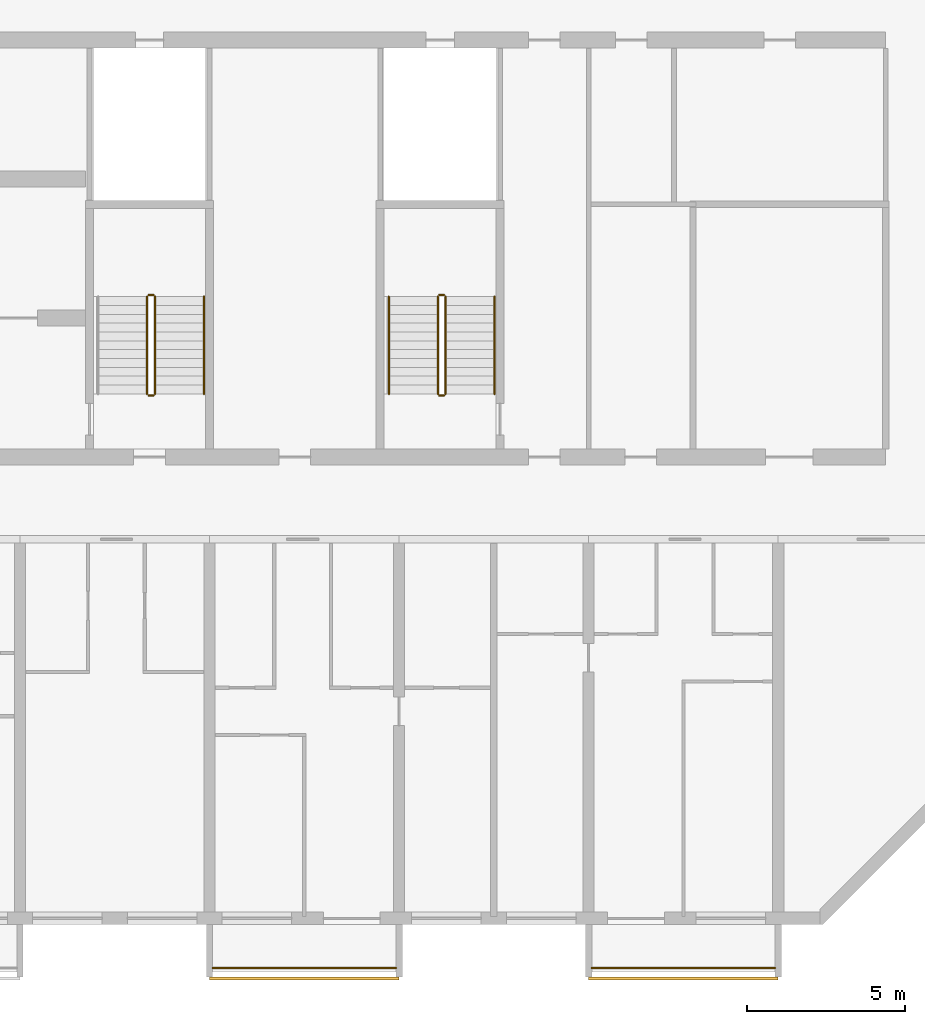
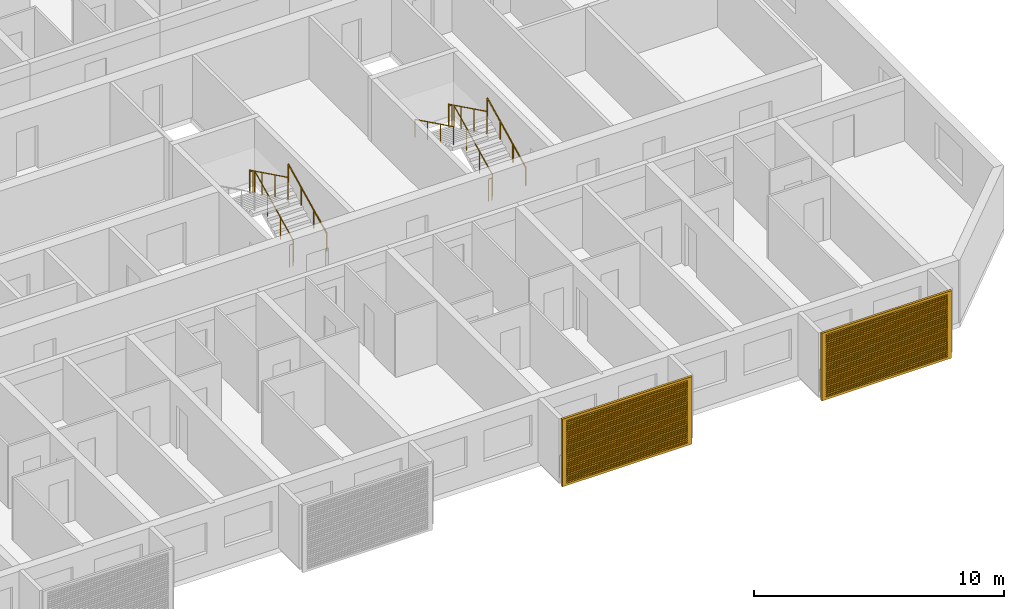
# One storey, part 26 of 28: 13 railings, 2 shading devices.
"""IFC4 building model written with IfcOpenShell, lengths in metres."""

import ifcopenshell
import ifcopenshell.guid

model = None  # the IFC model being written
_history = None  # IfcOwnerHistory: only IFC2X3 demands one
_inside = {}  # id of a spatial element -> (the spatial element, [elements in it])
_under = {}  # id of a project, library or spatial element -> (it, [spatial elements below it])
_declared = {}  # id of a project -> (the project, [libraries it declares])
_typed = {}  # id of a type object -> (the type object, [elements of that type])
_made_of = {}  # id of a material, layer set ... -> (it, [elements and type objects made of it])


def new_model(schema):
    """Start an empty IFC model of exactly this schema.

    Asked for "IFC4X3", IfcOpenShell would pick the latest addendum, in which some entities
    have other attributes; the version numbers below select the first issue.
    IFC2X3 requires an IfcOwnerHistory on every rooted entity: one is made here for all.
    """
    global model, _history
    if schema == "IFC4X3":
        model = ifcopenshell.file(schema_version=(4, 3, 0, 0))
    else:
        model = ifcopenshell.file(schema=schema)
    _inside.clear()
    _under.clear()
    _declared.clear()
    _typed.clear()
    _made_of.clear()
    _history = None
    if model.schema == "IFC2X3":
        org = make("IfcOrganization", Name="unknown")
        user = make(
            "IfcPersonAndOrganization",
            ThePerson=make("IfcPerson", FamilyName="unknown"),
            TheOrganization=org,
        )
        app = make(
            "IfcApplication",
            ApplicationDeveloper=org,
            Version="unknown",
            ApplicationFullName="unknown",
            ApplicationIdentifier="unknown",
        )
        _history = make(
            "IfcOwnerHistory",
            OwningUser=user,
            OwningApplication=app,
            ChangeAction="ADDED",
            CreationDate=0,
        )
    return model


def make(cls, **values):
    """One entity of the class cls with the attributes given. An attribute that is None is left unset."""
    return model.create_entity(
        cls, **{name: value for name, value in values.items() if value is not None}
    )


def rooted(cls, **values):
    """An entity with a GlobalId (a new one), such as an element, a storey or a relation."""
    return make(cls, GlobalId=ifcopenshell.guid.new(), OwnerHistory=_history, **values)


def si_unit(unit_type, name, prefix=None):
    """IfcSIUnit, for example si_unit("LENGTHUNIT", "METRE", prefix="MILLI")."""
    return make("IfcSIUnit", UnitType=unit_type, Prefix=prefix, Name=name)


def assignment(units):
    """IfcUnitAssignment: the units of a project."""
    return None if units is None else make("IfcUnitAssignment", Units=units)


def point(xyz):
    """IfcCartesianPoint."""
    return None if xyz is None else make("IfcCartesianPoint", Coordinates=xyz)


def direction(xyz):
    """IfcDirection."""
    return None if xyz is None else make("IfcDirection", DirectionRatios=xyz)


def frame(location, z_axis=None, x_axis=None):
    """IfcAxis2Placement3D, a coordinate frame: its origin and axes. An axis left out is left unset."""
    return make(
        "IfcAxis2Placement3D",
        Location=point(location),
        Axis=direction(z_axis),
        RefDirection=direction(x_axis),
    )


def frame_2d(location, x_axis=None):
    """IfcAxis2Placement2D, a coordinate frame in the plane: its origin and x axis."""
    return make(
        "IfcAxis2Placement2D", Location=point(location), RefDirection=direction(x_axis)
    )


def origin():
    """The frame at (0, 0, 0) with its axes left unset."""
    return frame((0.0, 0.0, 0.0))


def origin_2d():
    """The frame at (0, 0) in the plane with its x axis left unset."""
    return frame_2d((0.0, 0.0))


def place(relative_to, where):
    """IfcLocalPlacement: puts the frame where relative to a parent placement (None: the world)."""
    return make(
        "IfcLocalPlacement", PlacementRelTo=relative_to, RelativePlacement=where
    )


def context(
    kind, dimensions, precision=None, world=None, true_north=None, identifier=None
):
    """IfcGeometricRepresentationContext, for example the 3D "Model" context."""
    return make(
        "IfcGeometricRepresentationContext",
        ContextIdentifier=identifier,
        ContextType=kind,
        CoordinateSpaceDimension=dimensions,
        Precision=precision,
        WorldCoordinateSystem=world,
        TrueNorth=true_north,
    )


def subcontext(parent, identifier, kind, view, scale=None):
    """IfcGeometricRepresentationSubContext, for example "Body" below "Model"."""
    return make(
        "IfcGeometricRepresentationSubContext",
        ContextIdentifier=identifier,
        ContextType=kind,
        ParentContext=parent,
        TargetScale=scale,
        TargetView=view,
    )


def project(units=None, contexts=None):
    """IfcProject with its units and contexts."""
    return rooted(
        "IfcProject",
        Name="project",
        RepresentationContexts=contexts,
        UnitsInContext=assignment(units),
    )


def spatial(cls, under=None, at=None, **own):
    """A site, building, storey or space (cls), placed at a placement, below another one or the project."""
    s = rooted(cls, ObjectPlacement=at, **own)
    if under is not None:
        _under.setdefault(under.id(), (under, []))[1].append(s)
    return s


def polyline(points):
    """IfcPolyline through the points."""
    return make("IfcPolyline", Points=[point(p) for p in points])


def profile(cls, at=None, kind="AREA", **sizes):
    """A parametric profile (cls). Its sizes go by their IFC names, for example OverallWidth=200.0."""
    return make(cls, ProfileType=kind, Position=at, **sizes)


def circle(**sizes):
    """IfcCircleProfileDef."""
    return profile("IfcCircleProfileDef", **sizes)


def outline(outer, holes=None, kind="AREA"):
    """IfcArbitraryClosedProfileDef: a profile drawn as a closed curve; with holes, ...WithVoids."""
    if holes is None:
        return make("IfcArbitraryClosedProfileDef", ProfileType=kind, OuterCurve=outer)
    return make(
        "IfcArbitraryProfileDefWithVoids",
        ProfileType=kind,
        OuterCurve=outer,
        InnerCurves=holes,
    )


def extrude(swept, where, along, depth):
    """IfcExtrudedAreaSolid: the profile swept, set in the frame where, extruded along a direction by depth."""
    return make(
        "IfcExtrudedAreaSolid",
        SweptArea=swept,
        Position=where,
        ExtrudedDirection=direction(along),
        Depth=depth,
    )


def shape(context_of_items, identifier, shape_type, items):
    """IfcShapeRepresentation: the items that make up one representation, for example the "Body"."""
    return make(
        "IfcShapeRepresentation",
        ContextOfItems=context_of_items,
        RepresentationIdentifier=identifier,
        RepresentationType=shape_type,
        Items=items,
    )


def source(mapping_origin, context_of_items, identifier, shape_type, items):
    """IfcRepresentationMap: a shape defined once, which mapped items show again and again."""
    return make(
        "IfcRepresentationMap",
        MappingOrigin=mapping_origin,
        MappedRepresentation=shape(context_of_items, identifier, shape_type, items),
    )


def transform(
    local_origin,
    x_axis=None,
    y_axis=None,
    z_axis=None,
    scale=None,
    scale2=None,
    scale3=None,
    uniform=True,
):
    """IfcCartesianTransformationOperator3D, or its non-uniform kind. x_axis, y_axis, z_axis: its Axis1, 2, 3."""
    if uniform:
        return make(
            "IfcCartesianTransformationOperator3D",
            Axis1=direction(x_axis),
            Axis2=direction(y_axis),
            LocalOrigin=point(local_origin),
            Scale=scale,
            Axis3=direction(z_axis),
        )
    return make(
        "IfcCartesianTransformationOperator3DnonUniform",
        Axis1=direction(x_axis),
        Axis2=direction(y_axis),
        LocalOrigin=point(local_origin),
        Scale=scale,
        Axis3=direction(z_axis),
        Scale2=scale2,
        Scale3=scale3,
    )


def mapped(mapping_source, mapping_target):
    """IfcMappedItem: shows the shape of a source again, moved by a transform."""
    return make(
        "IfcMappedItem", MappingSource=mapping_source, MappingTarget=mapping_target
    )


def material(Name=None, Category=None):
    """IfcMaterial."""
    return make("IfcMaterial", Name=Name, Category=Category)


def material_profile(
    of_material, cross_section, Name=None, Category=None, Priority=None
):
    """IfcMaterialProfile: a cross section and its material."""
    return make(
        "IfcMaterialProfile",
        Name=Name,
        Material=of_material,
        Profile=cross_section,
        Priority=Priority,
        Category=Category,
    )


def profile_set(profiles, Name=None, composite=None):
    """IfcMaterialProfileSet."""
    return make(
        "IfcMaterialProfileSet",
        Name=Name,
        MaterialProfiles=profiles,
        CompositeProfile=composite,
    )


def made_of(thing, what):
    """Note that an element or type object is made of a material, layer set ...; save() writes the relation."""
    if what is not None:
        _made_of.setdefault(what.id(), (what, []))[1].append(thing)
    return thing


def type_object(cls, material=None, **own):
    """A type object (cls), such as IfcWallType, which elements share."""
    return made_of(rooted(cls, **own), material)


def element(
    cls,
    number,
    at=None,
    inside=None,
    cuts=None,
    type_object=None,
    material=None,
    context=None,
    identifier="Body",
    shape_type=None,
    held_by="IfcProductDefinitionShape",
    body=None,
    shapes=None,
    **own,
):
    """One element of the class cls, such as IfcWall. Its Tag is "e" and its number.

    at: its placement. inside: the storey or other place that contains it. cuts: it is an
    opening in that element (IfcRelVoidsElement). A single representation is given by context,
    identifier, shape_type and body (its items); several are given by shapes. held_by: the class
    of the entity that holds the representations. save() writes the other relations.
    """
    e = rooted(cls, Tag="e%d" % number, ObjectPlacement=at, **own)
    if body is not None:
        shapes = [shape(context, identifier, shape_type, body)]
    if shapes is not None:
        e.Representation = make(held_by, Representations=shapes)
    if inside is not None:
        _inside.setdefault(inside.id(), (inside, []))[1].append(e)
    if cuts is not None:
        rooted(
            "IfcRelVoidsElement", RelatingBuildingElement=cuts, RelatedOpeningElement=e
        )
    if type_object is not None:
        _typed.setdefault(type_object.id(), (type_object, []))[1].append(e)
    return made_of(e, material)


def aggregate(whole, parts):
    """IfcRelAggregates: a whole, such as a stair, and the parts it consists of."""
    return rooted("IfcRelAggregates", RelatingObject=whole, RelatedObjects=parts)


def save(model, path):
    """Write the relations noted so far, then the file.

    IfcRelAggregates (storeys below a building ...), IfcRelContainedInSpatialStructure (elements
    in a storey), IfcRelDefinesByType, IfcRelAssociatesMaterial and IfcRelDeclares: one each for
    every whole, place, type object, material and project.
    """
    for whole, parts in _under.values():
        aggregate(whole, parts)
    for where, things in _inside.values():
        rooted(
            "IfcRelContainedInSpatialStructure",
            RelatedElements=things,
            RelatingStructure=where,
        )
    for kind, things in _typed.values():
        rooted("IfcRelDefinesByType", RelatedObjects=things, RelatingType=kind)
    for what, things in _made_of.values():
        rooted("IfcRelAssociatesMaterial", RelatedObjects=things, RelatingMaterial=what)
    for by, libraries in _declared.values():
        rooted("IfcRelDeclares", RelatingContext=by, RelatedDefinitions=libraries)
    model.write(path)


model = new_model("IFC4")

# Units and contexts
model_context = context("Model", 3, precision=1e-05, world=origin(), true_north=direction((0.0, 1.0)))
body_context = subcontext(model_context, "Body", "Model", "MODEL_VIEW")
ifc_project = project(units=[si_unit("LENGTHUNIT", "METRE"), si_unit("AREAUNIT", "SQUARE_METRE"), si_unit("VOLUMEUNIT", "CUBIC_METRE"), si_unit("PLANEANGLEUNIT", "RADIAN"), si_unit("MASSUNIT", "GRAM", prefix="KILO")], contexts=[model_context])

# Site, building, storey
site_placement = place(None, origin())
site = spatial("IfcSite", under=ifc_project, at=site_placement, CompositionType="ELEMENT")
building_placement = place(site_placement, origin())
building = spatial("IfcBuilding", under=site, at=building_placement, Name="Poui Terraces", CompositionType="ELEMENT")
storey_placement = place(building_placement, frame((0.0, 0.0, 72.89990234375)))
storey = spatial("IfcBuildingStorey", under=building, at=storey_placement, Name="L19", CompositionType="ELEMENT", Elevation=72.89990234375)

# Railings
ifc_material_1 = material(Name="Painted steel fretwork", Category="steel")
railing_type_1 = type_object("IfcRailingType", Name="BALCONY GUARD 1100", PredefinedType="GUARDRAIL", material=ifc_material_1)
for number, where, name in (
    (1, (72.10009765625, -1.570068359375, 0.0), "BALCONY GUARD"),
    (2, (84.10009765625, -1.570068359375, 0.0), "BALCONY GUARD"),
):
    element("IfcRailing", number, at=place(storey_placement, frame(where)), inside=storey, type_object=railing_type_1, Name=name, PredefinedType="GUARDRAIL", context=body_context, shape_type="SweptSolid", body=[
        extrude(circle(Radius=0.02392578125, at=origin_2d()), frame((0.0, 0.0, 1.076171875), z_axis=(1.0, 0.0, 0.0), x_axis=(0.0, 1.0, 0.0)), (0.0, 0.0, 1.0), 5.7998046875),
        extrude(circle(Radius=0.02099609375, at=origin_2d()), origin(), (0.0, 0.0, 1.0), 1.052001953125),
        extrude(circle(Radius=0.02099609375, at=origin_2d()), frame((0.966552734375, 0.0, 0.0)), (0.0, 0.0, 1.0), 1.052001953125),
        extrude(circle(Radius=0.02099609375, at=origin_2d()), frame((1.933349609375, 0.0, 0.0)), (0.0, 0.0, 1.0), 1.052001953125),
        extrude(circle(Radius=0.02099609375, at=origin_2d()), frame((2.89990234375, 0.0, 0.0)), (0.0, 0.0, 1.0), 1.052001953125),
        extrude(circle(Radius=0.02099609375, at=origin_2d()), frame((3.866455078125, 0.0, 0.0)), (0.0, 0.0, 1.0), 1.052001953125),
        extrude(circle(Radius=0.02099609375, at=origin_2d()), frame((4.833251953125, 0.0, 0.0)), (0.0, 0.0, 1.0), 1.052001953125),
        extrude(circle(Radius=0.02099609375, at=origin_2d()), frame((5.7998046875, 0.0, 0.0)), (0.0, 0.0, 1.0), 1.052001953125),
    ])
ifc_material_2 = material(Name="Galvanised steel balustrade", Category="steel")
railing_type_2 = type_object("IfcRailingType", Name="STAIR GUARD 1100", PredefinedType="GUARDRAIL", material=ifc_material_2)
railing_1_placement = place(storey_placement, frame((70.27490234375, 16.60009765625, 0.1376953125)))
element("IfcRailing", 3, at=railing_1_placement, inside=storey, type_object=railing_type_2, Name="L19 ST-CE stair guard 1", PredefinedType="GUARDRAIL", context=body_context, shape_type="SweptSolid", body=[
    extrude(circle(Radius=0.02392578125, at=origin_2d()), frame((0.0, 0.0, 1.076171875), z_axis=(0.0, 0.897606190399, 0.440798283751), x_axis=(-1.0, 0.0, 0.0)), (0.0, 0.0, 1.0), 3.43115234375),
    extrude(circle(Radius=0.02099609375, at=origin_2d()), origin(), (0.0, 0.0, 1.0), 1.052001953125),
    extrude(circle(Radius=0.02099609375, at=origin_2d()), frame((0.0, 1.026611328125, 0.504150390625)), (0.0, 0.0, 1.0), 1.052001953125),
    extrude(circle(Radius=0.02099609375, at=origin_2d()), frame((0.0, 2.05322265625, 1.00830078125)), (0.0, 0.0, 1.0), 1.052001953125),
    extrude(circle(Radius=0.02099609375, at=origin_2d()), frame((0.0, 3.079833984375, 1.512451171875)), (0.0, 0.0, 1.0), 1.052001953125),
])
railing_2_placement = place(storey_placement, frame((70.22509765625, 19.72998046875, 1.650146484375)))
element("IfcRailing", 4, at=railing_2_placement, inside=storey, type_object=railing_type_2, Name="L19 ST-CE stair guard 2", PredefinedType="GUARDRAIL", context=body_context, shape_type="SweptSolid", body=[
    extrude(circle(Radius=0.02392578125, at=origin_2d()), frame((0.0, 0.0, 1.076171875), z_axis=(-1.0, 0.0, 0.0), x_axis=(0.0, -1.0, 0.0)), (0.0, 0.0, 1.0), 0.150146484375),
    extrude(circle(Radius=0.02099609375, at=origin_2d()), origin(), (0.0, 0.0, 1.0), 1.052001953125),
    extrude(circle(Radius=0.02099609375, at=origin_2d()), frame((-0.150146484375, 0.0, 0.0)), (0.0, 0.0, 1.0), 1.052001953125),
])
railing_3_placement = place(storey_placement, frame((70.02490234375, 19.679931640625, 1.78759765625)))
element("IfcRailing", 5, at=railing_3_placement, inside=storey, type_object=railing_type_2, Name="L19 ST-CE stair guard 3", PredefinedType="GUARDRAIL", context=body_context, shape_type="SweptSolid", body=[
    extrude(circle(Radius=0.02392578125, at=origin_2d()), frame((0.0, 0.0, 1.076171875), z_axis=(0.0, -0.897606190399, 0.440798283751), x_axis=(1.0, 0.0, 0.0)), (0.0, 0.0, 1.0), 3.43115234375),
    extrude(circle(Radius=0.02099609375, at=origin_2d()), origin(), (0.0, 0.0, 1.0), 1.052001953125),
    extrude(circle(Radius=0.02099609375, at=origin_2d()), frame((0.0, -1.026611328125, 0.504150390625)), (0.0, 0.0, 1.0), 1.052001953125),
    extrude(circle(Radius=0.02099609375, at=origin_2d()), frame((0.0, -2.05322265625, 1.00830078125)), (0.0, 0.0, 1.0), 1.052001953125),
    extrude(circle(Radius=0.02099609375, at=origin_2d()), frame((0.0, -3.079833984375, 1.512451171875)), (0.0, 0.0, 1.0), 1.052001953125),
])
railing_4_placement = place(storey_placement, frame((70.22509765625, 16.550048828125, 0.0)))
element("IfcRailing", 6, at=railing_4_placement, inside=storey, type_object=railing_type_2, Name="L19 ST-CE stair guard 4", PredefinedType="GUARDRAIL", context=body_context, shape_type="SweptSolid", body=[
    extrude(circle(Radius=0.02392578125, at=origin_2d()), frame((0.0, 0.0, 1.076171875), z_axis=(-1.0, 0.0, 0.0), x_axis=(0.0, -1.0, 0.0)), (0.0, 0.0, 1.0), 0.150146484375),
    extrude(circle(Radius=0.02099609375, at=origin_2d()), origin(), (0.0, 0.0, 1.0), 1.052001953125),
    extrude(circle(Radius=0.02099609375, at=origin_2d()), frame((-0.150146484375, 0.0, 0.0)), (0.0, 0.0, 1.0), 1.052001953125),
])
railing_5_placement = place(storey_placement, frame((79.47509765625, 16.60009765625, 0.1376953125)))
element("IfcRailing", 7, at=railing_5_placement, inside=storey, type_object=railing_type_2, Name="L19 ST-E stair guard 1", PredefinedType="GUARDRAIL", context=body_context, shape_type="SweptSolid", body=[
    extrude(circle(Radius=0.02392578125, at=origin_2d()), frame((0.0, 0.0, 1.076171875), z_axis=(0.0, 0.897606190399, 0.440798283751), x_axis=(-1.0, 0.0, 0.0)), (0.0, 0.0, 1.0), 3.43115234375),
    extrude(circle(Radius=0.02099609375, at=origin_2d()), origin(), (0.0, 0.0, 1.0), 1.052001953125),
    extrude(circle(Radius=0.02099609375, at=origin_2d()), frame((0.0, 1.026611328125, 0.504150390625)), (0.0, 0.0, 1.0), 1.052001953125),
    extrude(circle(Radius=0.02099609375, at=origin_2d()), frame((0.0, 2.05322265625, 1.00830078125)), (0.0, 0.0, 1.0), 1.052001953125),
    extrude(circle(Radius=0.02099609375, at=origin_2d()), frame((0.0, 3.079833984375, 1.512451171875)), (0.0, 0.0, 1.0), 1.052001953125),
])
railing_6_placement = place(storey_placement, frame((79.425048828125, 19.72998046875, 1.650146484375)))
element("IfcRailing", 8, at=railing_6_placement, inside=storey, type_object=railing_type_2, Name="L19 ST-E stair guard 2", PredefinedType="GUARDRAIL", context=body_context, shape_type="SweptSolid", body=[
    extrude(circle(Radius=0.02392578125, at=origin_2d()), frame((0.0, 0.0, 1.076171875), z_axis=(-1.0, 0.0, 0.0), x_axis=(0.0, -1.0, 0.0)), (0.0, 0.0, 1.0), 0.150146484375),
    extrude(circle(Radius=0.02099609375, at=origin_2d()), origin(), (0.0, 0.0, 1.0), 1.052001953125),
    extrude(circle(Radius=0.02099609375, at=origin_2d()), frame((-0.150146484375, 0.0, 0.0)), (0.0, 0.0, 1.0), 1.052001953125),
])
railing_7_placement = place(storey_placement, frame((79.22509765625, 19.679931640625, 1.78759765625)))
element("IfcRailing", 9, at=railing_7_placement, inside=storey, type_object=railing_type_2, Name="L19 ST-E stair guard 3", PredefinedType="GUARDRAIL", context=body_context, shape_type="SweptSolid", body=[
    extrude(circle(Radius=0.02392578125, at=origin_2d()), frame((0.0, 0.0, 1.076171875), z_axis=(0.0, -0.897606190399, 0.440798283751), x_axis=(1.0, 0.0, 0.0)), (0.0, 0.0, 1.0), 3.43115234375),
    extrude(circle(Radius=0.02099609375, at=origin_2d()), origin(), (0.0, 0.0, 1.0), 1.052001953125),
    extrude(circle(Radius=0.02099609375, at=origin_2d()), frame((0.0, -1.026611328125, 0.504150390625)), (0.0, 0.0, 1.0), 1.052001953125),
    extrude(circle(Radius=0.02099609375, at=origin_2d()), frame((0.0, -2.05322265625, 1.00830078125)), (0.0, 0.0, 1.0), 1.052001953125),
    extrude(circle(Radius=0.02099609375, at=origin_2d()), frame((0.0, -3.079833984375, 1.512451171875)), (0.0, 0.0, 1.0), 1.052001953125),
])
railing_8_placement = place(storey_placement, frame((79.425048828125, 16.550048828125, 0.0)))
element("IfcRailing", 10, at=railing_8_placement, inside=storey, type_object=railing_type_2, Name="L19 ST-E stair guard 4", PredefinedType="GUARDRAIL", context=body_context, shape_type="SweptSolid", body=[
    extrude(circle(Radius=0.02392578125, at=origin_2d()), frame((0.0, 0.0, 1.076171875), z_axis=(-1.0, 0.0, 0.0), x_axis=(0.0, -1.0, 0.0)), (0.0, 0.0, 1.0), 0.150146484375),
    extrude(circle(Radius=0.02099609375, at=origin_2d()), origin(), (0.0, 0.0, 1.0), 1.052001953125),
    extrude(circle(Radius=0.02099609375, at=origin_2d()), frame((-0.150146484375, 0.0, 0.0)), (0.0, 0.0, 1.0), 1.052001953125),
])
ifc_material_3 = material(Name="Stainless steel handrail", Category="steel")
railing_type_3 = type_object("IfcRailingType", Name="STAIR HANDRAIL 900", PredefinedType="HANDRAIL", material=ifc_material_3)
for number, where, name in (
    (11, (71.824951171875, 16.60009765625, 0.1376953125), "L19 ST-CE stair handrail 1"),
    (12, (81.02490234375, 16.60009765625, 0.1376953125), "L19 ST-E stair handrail 1"),
):
    element("IfcRailing", number, at=place(storey_placement, frame(where)), inside=storey, type_object=railing_type_3, Name=name, PredefinedType="HANDRAIL", context=body_context, shape_type="SweptSolid", body=[
        extrude(circle(Radius=0.02392578125, at=origin_2d()), frame((0.0, 0.0, 0.8759765625), z_axis=(0.0, 0.897606190399, 0.440798283751), x_axis=(-1.0, 0.0, 0.0)), (0.0, 0.0, 1.0), 3.43115234375),
        extrude(circle(Radius=0.02099609375, at=origin_2d()), origin(), (0.0, 0.0, 1.0), 0.851806640625),
        extrude(circle(Radius=0.02099609375, at=origin_2d()), frame((0.0, 1.026611328125, 0.504150390625)), (0.0, 0.0, 1.0), 0.851806640625),
        extrude(circle(Radius=0.02099609375, at=origin_2d()), frame((0.0, 2.05322265625, 1.00830078125)), (0.0, 0.0, 1.0), 0.851806640625),
        extrude(circle(Radius=0.02099609375, at=origin_2d()), frame((0.0, 3.079833984375, 1.512451171875)), (0.0, 0.0, 1.0), 0.851806640625),
    ])
railing_9_placement = place(storey_placement, frame((77.675048828125, 19.679931640625, 1.78759765625)))
element("IfcRailing", 13, at=railing_9_placement, inside=storey, type_object=railing_type_3, Name="L19 ST-E stair handrail 2", PredefinedType="HANDRAIL", context=body_context, shape_type="SweptSolid", body=[
    extrude(circle(Radius=0.02392578125, at=origin_2d()), frame((0.0, 0.0, 0.8759765625), z_axis=(0.0, -0.897606190399, 0.440798283751), x_axis=(1.0, 0.0, 0.0)), (0.0, 0.0, 1.0), 3.43115234375),
    extrude(circle(Radius=0.02099609375, at=origin_2d()), origin(), (0.0, 0.0, 1.0), 0.851806640625),
    extrude(circle(Radius=0.02099609375, at=origin_2d()), frame((0.0, -1.026611328125, 0.504150390625)), (0.0, 0.0, 1.0), 0.851806640625),
    extrude(circle(Radius=0.02099609375, at=origin_2d()), frame((0.0, -2.05322265625, 1.00830078125)), (0.0, 0.0, 1.0), 0.851806640625),
    extrude(circle(Radius=0.02099609375, at=origin_2d()), frame((0.0, -3.079833984375, 1.512451171875)), (0.0, 0.0, 1.0), 0.851806640625),
])

# Shading devices
ifc_material_4 = material(Name="Aluminium louvre", Category="aluminium")
ifc_material_profile = material_profile(ifc_material_4, outline(polyline([(-3.0, -1.64990234375), (3.0, -1.64990234375), (3.0, 1.64990234375), (-3.0, 1.64990234375), (-3.0, -1.64990234375)]), holes=[polyline([(-2.800048828125, -1.530029296875), (2.800048828125, -1.530029296875), (2.800048828125, -1.469970703125), (-2.800048828125, -1.469970703125), (-2.800048828125, -1.530029296875)]), polyline([(-2.800048828125, -1.429931640625), (2.800048828125, -1.429931640625), (2.800048828125, -1.3701171875), (-2.800048828125, -1.3701171875), (-2.800048828125, -1.429931640625)]), polyline([(-2.800048828125, -1.330078125), (2.800048828125, -1.330078125), (2.800048828125, -1.27001953125), (-2.800048828125, -1.27001953125), (-2.800048828125, -1.330078125)]), polyline([(-2.800048828125, -1.22998046875), (2.800048828125, -1.22998046875), (2.800048828125, -1.169921875), (-2.800048828125, -1.169921875), (-2.800048828125, -1.22998046875)]), polyline([(-2.800048828125, -1.1298828125), (2.800048828125, -1.1298828125), (2.800048828125, -1.070068359375), (-2.800048828125, -1.070068359375), (-2.800048828125, -1.1298828125)]), polyline([(-2.800048828125, -1.030029296875), (2.800048828125, -1.030029296875), (2.800048828125, -0.969970703125), (-2.800048828125, -0.969970703125), (-2.800048828125, -1.030029296875)]), polyline([(-2.800048828125, -0.929931640625), (2.800048828125, -0.929931640625), (2.800048828125, -0.8701171875), (-2.800048828125, -0.8701171875), (-2.800048828125, -0.929931640625)]), polyline([(-2.800048828125, -0.830078125), (2.800048828125, -0.830078125), (2.800048828125, -0.77001953125), (-2.800048828125, -0.77001953125), (-2.800048828125, -0.830078125)]), polyline([(-2.800048828125, -0.72998046875), (2.800048828125, -0.72998046875), (2.800048828125, -0.669921875), (-2.800048828125, -0.669921875), (-2.800048828125, -0.72998046875)]), polyline([(-2.800048828125, -0.6298828125), (2.800048828125, -0.6298828125), (2.800048828125, -0.570068359375), (-2.800048828125, -0.570068359375), (-2.800048828125, -0.6298828125)]), polyline([(-2.800048828125, -0.530029296875), (2.800048828125, -0.530029296875), (2.800048828125, -0.469970703125), (-2.800048828125, -0.469970703125), (-2.800048828125, -0.530029296875)]), polyline([(-2.800048828125, -0.429931640625), (2.800048828125, -0.429931640625), (2.800048828125, -0.3701171875), (-2.800048828125, -0.3701171875), (-2.800048828125, -0.429931640625)]), polyline([(-2.800048828125, -0.330078125), (2.800048828125, -0.330078125), (2.800048828125, -0.27001953125), (-2.800048828125, -0.27001953125), (-2.800048828125, -0.330078125)]), polyline([(-2.800048828125, -0.22998046875), (2.800048828125, -0.22998046875), (2.800048828125, -0.169921875), (-2.800048828125, -0.169921875), (-2.800048828125, -0.22998046875)]), polyline([(-2.800048828125, -0.1298828125), (2.800048828125, -0.1298828125), (2.800048828125, -0.070068359375), (-2.800048828125, -0.070068359375), (-2.800048828125, -0.1298828125)]), polyline([(-2.800048828125, -0.030029296875), (2.800048828125, -0.030029296875), (2.800048828125, 0.030029296875), (-2.800048828125, 0.030029296875), (-2.800048828125, -0.030029296875)]), polyline([(-2.800048828125, 0.070068359375), (2.800048828125, 0.070068359375), (2.800048828125, 0.1298828125), (-2.800048828125, 0.1298828125), (-2.800048828125, 0.070068359375)]), polyline([(-2.800048828125, 0.169921875), (2.800048828125, 0.169921875), (2.800048828125, 0.22998046875), (-2.800048828125, 0.22998046875), (-2.800048828125, 0.169921875)]), polyline([(-2.800048828125, 0.27001953125), (2.800048828125, 0.27001953125), (2.800048828125, 0.330078125), (-2.800048828125, 0.330078125), (-2.800048828125, 0.27001953125)]), polyline([(-2.800048828125, 0.3701171875), (2.800048828125, 0.3701171875), (2.800048828125, 0.429931640625), (-2.800048828125, 0.429931640625), (-2.800048828125, 0.3701171875)]), polyline([(-2.800048828125, 0.469970703125), (2.800048828125, 0.469970703125), (2.800048828125, 0.530029296875), (-2.800048828125, 0.530029296875), (-2.800048828125, 0.469970703125)]), polyline([(-2.800048828125, 0.570068359375), (2.800048828125, 0.570068359375), (2.800048828125, 0.6298828125), (-2.800048828125, 0.6298828125), (-2.800048828125, 0.570068359375)]), polyline([(-2.800048828125, 0.669921875), (2.800048828125, 0.669921875), (2.800048828125, 0.72998046875), (-2.800048828125, 0.72998046875), (-2.800048828125, 0.669921875)]), polyline([(-2.800048828125, 0.77001953125), (2.800048828125, 0.77001953125), (2.800048828125, 0.830078125), (-2.800048828125, 0.830078125), (-2.800048828125, 0.77001953125)]), polyline([(-2.800048828125, 0.8701171875), (2.800048828125, 0.8701171875), (2.800048828125, 0.929931640625), (-2.800048828125, 0.929931640625), (-2.800048828125, 0.8701171875)]), polyline([(-2.800048828125, 0.969970703125), (2.800048828125, 0.969970703125), (2.800048828125, 1.030029296875), (-2.800048828125, 1.030029296875), (-2.800048828125, 0.969970703125)]), polyline([(-2.800048828125, 1.070068359375), (2.800048828125, 1.070068359375), (2.800048828125, 1.1298828125), (-2.800048828125, 1.1298828125), (-2.800048828125, 1.070068359375)]), polyline([(-2.800048828125, 1.169921875), (2.800048828125, 1.169921875), (2.800048828125, 1.22998046875), (-2.800048828125, 1.22998046875), (-2.800048828125, 1.169921875)]), polyline([(-2.800048828125, 1.27001953125), (2.800048828125, 1.27001953125), (2.800048828125, 1.330078125), (-2.800048828125, 1.330078125), (-2.800048828125, 1.27001953125)]), polyline([(-2.800048828125, 1.3701171875), (2.800048828125, 1.3701171875), (2.800048828125, 1.429931640625), (-2.800048828125, 1.429931640625), (-2.800048828125, 1.3701171875)]), polyline([(-2.800048828125, 1.469970703125), (2.800048828125, 1.469970703125), (2.800048828125, 1.530029296875), (-2.800048828125, 1.530029296875), (-2.800048828125, 1.469970703125)])]), Name="JALOUSIE LOUVRE SHUTTER 6000X3300")
ifc_profile_set = profile_set([ifc_material_profile], Name="Aluminium louvre")
shading_device_type = type_object("IfcShadingDeviceType", Name="JALOUSIE LOUVRE SHUTTER 6000X3300", PredefinedType="JALOUSIE", material=ifc_profile_set)
shared_shape = source(origin(), body_context, "Body", "SweptSolid", [
    extrude(outline(polyline([(-3.0, -1.64990234375), (3.0, -1.64990234375), (3.0, 1.64990234375), (-3.0, 1.64990234375), (-3.0, -1.64990234375)]), holes=[polyline([(-2.800048828125, -1.530029296875), (2.800048828125, -1.530029296875), (2.800048828125, -1.469970703125), (-2.800048828125, -1.469970703125), (-2.800048828125, -1.530029296875)]), polyline([(-2.800048828125, -1.429931640625), (2.800048828125, -1.429931640625), (2.800048828125, -1.3701171875), (-2.800048828125, -1.3701171875), (-2.800048828125, -1.429931640625)]), polyline([(-2.800048828125, -1.330078125), (2.800048828125, -1.330078125), (2.800048828125, -1.27001953125), (-2.800048828125, -1.27001953125), (-2.800048828125, -1.330078125)]), polyline([(-2.800048828125, -1.22998046875), (2.800048828125, -1.22998046875), (2.800048828125, -1.169921875), (-2.800048828125, -1.169921875), (-2.800048828125, -1.22998046875)]), polyline([(-2.800048828125, -1.1298828125), (2.800048828125, -1.1298828125), (2.800048828125, -1.070068359375), (-2.800048828125, -1.070068359375), (-2.800048828125, -1.1298828125)]), polyline([(-2.800048828125, -1.030029296875), (2.800048828125, -1.030029296875), (2.800048828125, -0.969970703125), (-2.800048828125, -0.969970703125), (-2.800048828125, -1.030029296875)]), polyline([(-2.800048828125, -0.929931640625), (2.800048828125, -0.929931640625), (2.800048828125, -0.8701171875), (-2.800048828125, -0.8701171875), (-2.800048828125, -0.929931640625)]), polyline([(-2.800048828125, -0.830078125), (2.800048828125, -0.830078125), (2.800048828125, -0.77001953125), (-2.800048828125, -0.77001953125), (-2.800048828125, -0.830078125)]), polyline([(-2.800048828125, -0.72998046875), (2.800048828125, -0.72998046875), (2.800048828125, -0.669921875), (-2.800048828125, -0.669921875), (-2.800048828125, -0.72998046875)]), polyline([(-2.800048828125, -0.6298828125), (2.800048828125, -0.6298828125), (2.800048828125, -0.570068359375), (-2.800048828125, -0.570068359375), (-2.800048828125, -0.6298828125)]), polyline([(-2.800048828125, -0.530029296875), (2.800048828125, -0.530029296875), (2.800048828125, -0.469970703125), (-2.800048828125, -0.469970703125), (-2.800048828125, -0.530029296875)]), polyline([(-2.800048828125, -0.429931640625), (2.800048828125, -0.429931640625), (2.800048828125, -0.3701171875), (-2.800048828125, -0.3701171875), (-2.800048828125, -0.429931640625)]), polyline([(-2.800048828125, -0.330078125), (2.800048828125, -0.330078125), (2.800048828125, -0.27001953125), (-2.800048828125, -0.27001953125), (-2.800048828125, -0.330078125)]), polyline([(-2.800048828125, -0.22998046875), (2.800048828125, -0.22998046875), (2.800048828125, -0.169921875), (-2.800048828125, -0.169921875), (-2.800048828125, -0.22998046875)]), polyline([(-2.800048828125, -0.1298828125), (2.800048828125, -0.1298828125), (2.800048828125, -0.070068359375), (-2.800048828125, -0.070068359375), (-2.800048828125, -0.1298828125)]), polyline([(-2.800048828125, -0.030029296875), (2.800048828125, -0.030029296875), (2.800048828125, 0.030029296875), (-2.800048828125, 0.030029296875), (-2.800048828125, -0.030029296875)]), polyline([(-2.800048828125, 0.070068359375), (2.800048828125, 0.070068359375), (2.800048828125, 0.1298828125), (-2.800048828125, 0.1298828125), (-2.800048828125, 0.070068359375)]), polyline([(-2.800048828125, 0.169921875), (2.800048828125, 0.169921875), (2.800048828125, 0.22998046875), (-2.800048828125, 0.22998046875), (-2.800048828125, 0.169921875)]), polyline([(-2.800048828125, 0.27001953125), (2.800048828125, 0.27001953125), (2.800048828125, 0.330078125), (-2.800048828125, 0.330078125), (-2.800048828125, 0.27001953125)]), polyline([(-2.800048828125, 0.3701171875), (2.800048828125, 0.3701171875), (2.800048828125, 0.429931640625), (-2.800048828125, 0.429931640625), (-2.800048828125, 0.3701171875)]), polyline([(-2.800048828125, 0.469970703125), (2.800048828125, 0.469970703125), (2.800048828125, 0.530029296875), (-2.800048828125, 0.530029296875), (-2.800048828125, 0.469970703125)]), polyline([(-2.800048828125, 0.570068359375), (2.800048828125, 0.570068359375), (2.800048828125, 0.6298828125), (-2.800048828125, 0.6298828125), (-2.800048828125, 0.570068359375)]), polyline([(-2.800048828125, 0.669921875), (2.800048828125, 0.669921875), (2.800048828125, 0.72998046875), (-2.800048828125, 0.72998046875), (-2.800048828125, 0.669921875)]), polyline([(-2.800048828125, 0.77001953125), (2.800048828125, 0.77001953125), (2.800048828125, 0.830078125), (-2.800048828125, 0.830078125), (-2.800048828125, 0.77001953125)]), polyline([(-2.800048828125, 0.8701171875), (2.800048828125, 0.8701171875), (2.800048828125, 0.929931640625), (-2.800048828125, 0.929931640625), (-2.800048828125, 0.8701171875)]), polyline([(-2.800048828125, 0.969970703125), (2.800048828125, 0.969970703125), (2.800048828125, 1.030029296875), (-2.800048828125, 1.030029296875), (-2.800048828125, 0.969970703125)]), polyline([(-2.800048828125, 1.070068359375), (2.800048828125, 1.070068359375), (2.800048828125, 1.1298828125), (-2.800048828125, 1.1298828125), (-2.800048828125, 1.070068359375)]), polyline([(-2.800048828125, 1.169921875), (2.800048828125, 1.169921875), (2.800048828125, 1.22998046875), (-2.800048828125, 1.22998046875), (-2.800048828125, 1.169921875)]), polyline([(-2.800048828125, 1.27001953125), (2.800048828125, 1.27001953125), (2.800048828125, 1.330078125), (-2.800048828125, 1.330078125), (-2.800048828125, 1.27001953125)]), polyline([(-2.800048828125, 1.3701171875), (2.800048828125, 1.3701171875), (2.800048828125, 1.429931640625), (-2.800048828125, 1.429931640625), (-2.800048828125, 1.3701171875)]), polyline([(-2.800048828125, 1.469970703125), (2.800048828125, 1.469970703125), (2.800048828125, 1.530029296875), (-2.800048828125, 1.530029296875), (-2.800048828125, 1.469970703125)])]), origin(), (0.0, 0.0, 1.0), 0.099853515625),
])
for number, where, z_axis, x_axis, name in (
    (14, (75.0, -1.85009765625, 1.4501953125), (0.0, -1.0, 0.0), (1.0, 0.0, 0.0), "JALOUSIE LOUVRE SHUTTER"),
    (15, (87.0, -1.85009765625, 1.4501953125), (0.0, -1.0, 0.0), (1.0, 0.0, 0.0), "JALOUSIE LOUVRE SHUTTER"),
):
    element("IfcShadingDevice", number, at=place(storey_placement, frame(where, z_axis=z_axis, x_axis=x_axis)), inside=storey, type_object=shading_device_type, Name=name, PredefinedType="JALOUSIE", context=body_context, shape_type="MappedRepresentation", body=[
        mapped(shared_shape, transform((0.0, 0.0, 0.0))),
    ])

save(model, "model.ifc")
